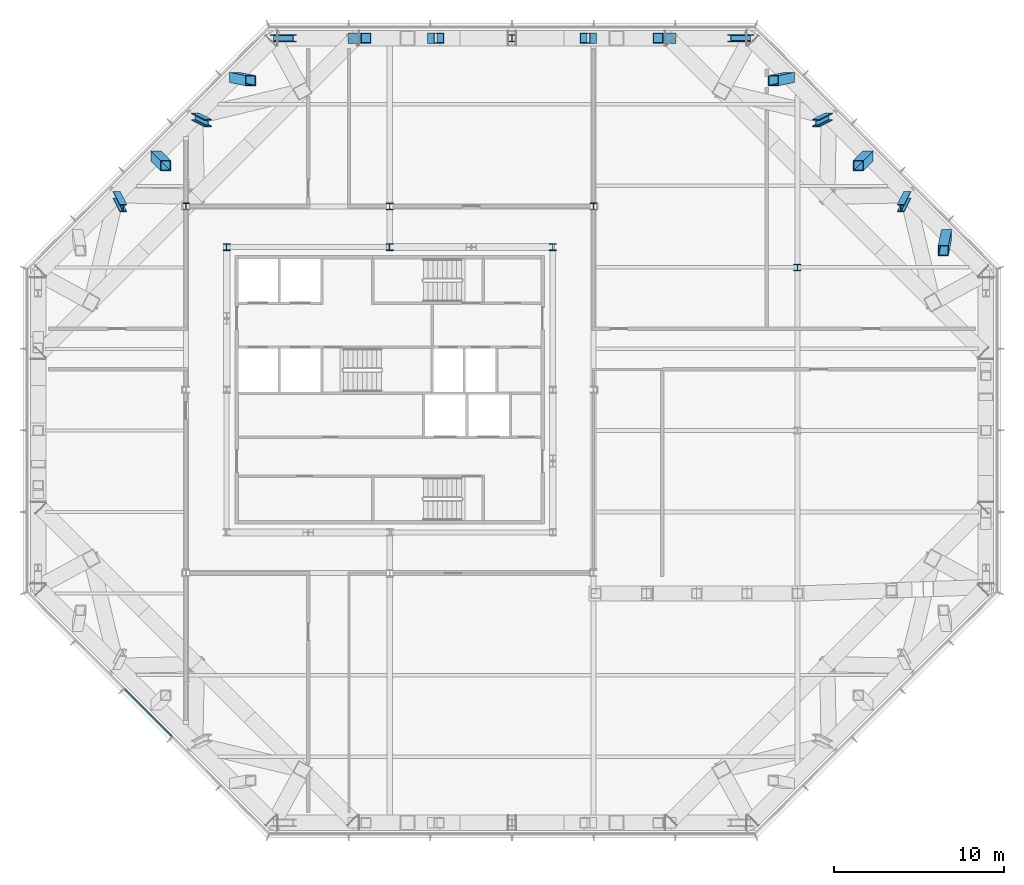
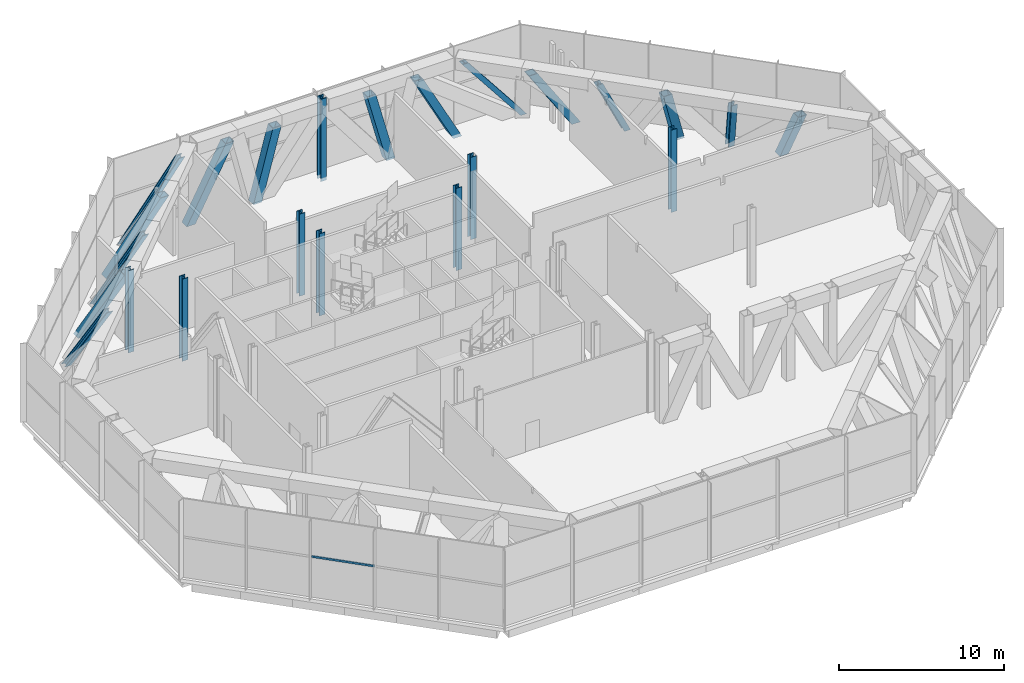
# One storey, part 2 of 18: 23 columns, 1 member, 1 element without a shape of its own.
"""IFC4 building model written with IfcOpenShell, lengths in metres."""

from ifc_helpers import new_model, si_unit, direction, frame, origin, origin_2d, place, context, subcontext, project, spatial, rectangle, hollow_rectangle, i_section, extrude, clip, halfspace, material, material_profile, profile_set, type_object, element, aggregate, save


model = new_model("IFC4")

# Units and contexts
model_context = context("Model", 3, precision=1e-05, world=origin(), true_north=direction((0.0, 1.0)))
body_context = subcontext(model_context, "Body", "Model", "MODEL_VIEW")
ifc_project = project(units=[si_unit("LENGTHUNIT", "METRE"), si_unit("AREAUNIT", "SQUARE_METRE"), si_unit("VOLUMEUNIT", "CUBIC_METRE"), si_unit("PLANEANGLEUNIT", "RADIAN"), si_unit("MASSUNIT", "GRAM", prefix="KILO")], contexts=[model_context])

# Site, building, storey
site_placement = place(None, origin())
site = spatial("IfcSite", under=ifc_project, at=site_placement, CompositionType="ELEMENT")
building_placement = place(site_placement, origin())
building = spatial("IfcBuilding", under=site, at=building_placement, Name="Cairn Pilgrim Tower", CompositionType="ELEMENT")
storey_placement = place(building_placement, frame((0.0, 0.0, 204.60009765625)))
storey = spatial("IfcBuildingStorey", under=building, at=storey_placement, Name="L52", CompositionType="ELEMENT", Elevation=204.60009765625)

# Columns
ifc_material_1 = material(Name="Structural steel S460M", Category="steel")
ifc_material_profile_1 = material_profile(ifc_material_1, hollow_rectangle(XDim=0.60009765625, YDim=0.60009765625, WallThickness=0.034912109375, at=origin_2d()), Name="BOX 600x600x35")
ifc_profile_set_1 = profile_set([ifc_material_profile_1], Name="Structural steel S460M")
column_type_1 = type_object("IfcColumnType", Name="BOX 600x600x35 POST", PredefinedType="USERDEFINED", material=ifc_profile_set_1)
column_1_placement = place(storey_placement, frame((39.98779296875, 11.539306640625, -0.25), z_axis=(0.0, 0.0, 1.0), x_axis=(1.0, 0.0, 0.0)))
element("IfcColumn", 1, at=column_1_placement, inside=storey, type_object=column_type_1, Name="BT52-NE-P2", ObjectType="POST", PredefinedType="USERDEFINED", context=body_context, shape_type="Clipping", body=[
    clip(extrude(hollow_rectangle(XDim=0.60009765625, YDim=0.60009765625, WallThickness=0.034912109375, at=origin_2d()), origin(), (-0.108993238723, -0.545099274493, 0.83125643147), 7.338134765625), halfspace(frame((0.0, 0.0, 5.199951171875), z_axis=(0.0, 0.0, 1.0), x_axis=(1.0, 0.0, 0.0)), False)),
])
column_2_placement = place(storey_placement, frame((35.363525390625, 16.16357421875, -0.25), z_axis=(0.0, 0.0, 1.0), x_axis=(1.0, 0.0, 0.0)))
element("IfcColumn", 2, at=column_2_placement, inside=storey, type_object=column_type_1, Name="BT52-NE-P4", ObjectType="POST", PredefinedType="USERDEFINED", context=body_context, shape_type="Clipping", body=[
    clip(extrude(hollow_rectangle(XDim=0.60009765625, YDim=0.60009765625, WallThickness=0.034912109375, at=origin_2d()), origin(), (-0.343801292888, -0.343801292888, 0.873842858881), 6.98046875), halfspace(frame((0.0, 0.0, 5.199951171875), z_axis=(0.0, 0.0, 1.0), x_axis=(1.0, 0.0, 0.0)), False)),
])
column_3_placement = place(storey_placement, frame((30.7392578125, 20.787841796875, -0.25), z_axis=(0.0, 0.0, 1.0), x_axis=(1.0, 0.0, 0.0)))
element("IfcColumn", 3, at=column_3_placement, inside=storey, type_object=column_type_1, Name="BT52-NE-P6", ObjectType="POST", PredefinedType="USERDEFINED", context=body_context, shape_type="Clipping", body=[
    clip(extrude(hollow_rectangle(XDim=0.60009765625, YDim=0.60009765625, WallThickness=0.034912109375, at=origin_2d()), origin(), (-0.545097297547, -0.109026113529, 0.8312534167), 7.338134765625), halfspace(frame((0.0, 0.0, 5.199951171875), z_axis=(0.0, 0.0, 1.0), x_axis=(1.0, 0.0, 0.0)), False)),
])
column_4_placement = place(storey_placement, frame((23.75146484375, 23.10009765625, -0.25), z_axis=(0.0, 0.0, 1.0), x_axis=(1.0, 0.0, 0.0)))
element("IfcColumn", 4, at=column_4_placement, inside=storey, type_object=column_type_1, Name="BT52-N-P2", ObjectType="POST", PredefinedType="USERDEFINED", context=body_context, shape_type="Clipping", body=[
    clip(extrude(hollow_rectangle(XDim=0.60009765625, YDim=0.60009765625, WallThickness=0.034912109375, at=origin_2d()), origin(), (-0.464552553613, 0.0, 0.885545552149), 6.88818359375), halfspace(frame((0.0, 0.0, 5.199951171875), z_axis=(0.0, 0.0, 1.0), x_axis=(1.0, 0.0, 0.0)), False)),
])
column_5_placement = place(storey_placement, frame((19.07568359375, 23.10009765625, -0.25), z_axis=(0.0, 0.0, 1.0), x_axis=(1.0, 0.0, 0.0)))
element("IfcColumn", 5, at=column_5_placement, inside=storey, type_object=column_type_1, Name="BT52-N-P3", ObjectType="POST", PredefinedType="USERDEFINED", context=body_context, shape_type="Clipping", body=[
    clip(extrude(hollow_rectangle(XDim=0.60009765625, YDim=0.60009765625, WallThickness=0.034912109375, at=origin_2d()), origin(), (-0.253732877712, 0.0, 0.9672743286), 6.30615234375), halfspace(frame((0.0, 0.0, 5.199951171875), z_axis=(0.0, 0.0, 1.0), x_axis=(1.0, 0.0, 0.0)), False)),
])
column_6_placement = place(storey_placement, frame((9.724365234375, 23.10009765625, -0.25), z_axis=(0.0, 0.0, 1.0), x_axis=(1.0, 0.0, 0.0)))
element("IfcColumn", 6, at=column_6_placement, inside=storey, type_object=column_type_1, Name="BT52-N-P5", ObjectType="POST", PredefinedType="USERDEFINED", context=body_context, shape_type="Clipping", body=[
    clip(extrude(hollow_rectangle(XDim=0.60009765625, YDim=0.60009765625, WallThickness=0.034912109375, at=origin_2d()), origin(), (0.253696655412, 0.0, 0.967283829614), 6.30615234375), halfspace(frame((0.0, 0.0, 5.199951171875), z_axis=(0.0, 0.0, 1.0), x_axis=(1.0, 0.0, 0.0)), False)),
])
column_7_placement = place(storey_placement, frame((5.048583984375, 23.10009765625, -0.25), z_axis=(0.0, 0.0, 1.0), x_axis=(1.0, 0.0, 0.0)))
element("IfcColumn", 7, at=column_7_placement, inside=storey, type_object=column_type_1, Name="BT52-N-P6", ObjectType="POST", PredefinedType="USERDEFINED", context=body_context, shape_type="Clipping", body=[
    clip(extrude(hollow_rectangle(XDim=0.60009765625, YDim=0.60009765625, WallThickness=0.034912109375, at=origin_2d()), origin(), (0.464552553613, 0.0, 0.885545552149), 6.88818359375), halfspace(frame((0.0, 0.0, 5.199951171875), z_axis=(0.0, 0.0, 1.0), x_axis=(1.0, 0.0, 0.0)), False)),
])
column_8_placement = place(storey_placement, frame((-1.939208984375, 20.787841796875, -0.25), z_axis=(0.0, 0.0, 1.0), x_axis=(1.0, 0.0, 0.0)))
element("IfcColumn", 8, at=column_8_placement, inside=storey, type_object=column_type_1, Name="BT52-NW-P2", ObjectType="POST", PredefinedType="USERDEFINED", context=body_context, shape_type="Clipping", body=[
    clip(extrude(hollow_rectangle(XDim=0.60009765625, YDim=0.60009765625, WallThickness=0.034912109375, at=origin_2d()), origin(), (0.545097297547, -0.109026113529, 0.8312534167), 7.338134765625), halfspace(frame((0.0, 0.0, 5.199951171875), z_axis=(0.0, 0.0, 1.0), x_axis=(1.0, 0.0, 0.0)), False)),
])
column_9_placement = place(storey_placement, frame((-6.563720703125, 16.16357421875, -0.25), z_axis=(0.0, 0.0, 1.0), x_axis=(1.0, 0.0, 0.0)))
element("IfcColumn", 9, at=column_9_placement, inside=storey, type_object=column_type_1, Name="BT52-NW-P4", ObjectType="POST", PredefinedType="USERDEFINED", context=body_context, shape_type="Clipping", body=[
    clip(extrude(hollow_rectangle(XDim=0.60009765625, YDim=0.60009765625, WallThickness=0.034912109375, at=origin_2d()), origin(), (0.343832133045, -0.343797158766, 0.873832351147), 6.98046875), halfspace(frame((0.0, 0.0, 5.199951171875), z_axis=(0.0, 0.0, 1.0), x_axis=(1.0, 0.0, 0.0)), False)),
])
ifc_material_2 = material(Name="Structural steel S355J2", Category="steel")
ifc_material_profile_2 = material_profile(ifc_material_2, i_section(OverallWidth=0.39892578125, OverallDepth=0.39306640625, WebThickness=0.022705078125, FlangeThickness=0.03662109375, FilletRadius=0.014892578125, at=origin_2d()), Name="HD 400x287")
ifc_profile_set_2 = profile_set([ifc_material_profile_2], Name="Structural steel S355J2")
column_type_2 = type_object("IfcColumnType", Name="HD 400x287", PredefinedType="COLUMN", material=ifc_profile_set_2)
for number, where, z_axis, x_axis, name in (
    (10, (-4.800048828125, 13.199951171875, -0.25), (0.0, 0.0, 1.0), (1.0, 0.0, 0.0), "IC-6"),
    (11, (7.199951171875, 13.199951171875, -0.25), (0.0, 0.0, 1.0), (1.0, 0.0, 0.0), "IC-7"),
    (12, (19.199951171875, 13.199951171875, -0.25), (0.0, 0.0, 1.0), (1.0, 0.0, 0.0), "IC-8"),
    (13, (31.199951171875, 9.60009765625, -0.25), (0.0, 0.0, 1.0), (1.0, 0.0, 0.0), "WC-WE+2"),
):
    element("IfcColumn", number, at=place(storey_placement, frame(where, z_axis=z_axis, x_axis=x_axis)), inside=storey, type_object=column_type_2, Name=name, PredefinedType="COLUMN", context=body_context, shape_type="SweptSolid", body=[
        extrude(i_section(OverallWidth=0.39892578125, OverallDepth=0.39306640625, WebThickness=0.022705078125, FlangeThickness=0.03662109375, FilletRadius=0.014892578125, at=origin_2d()), origin(), (0.0, 0.0, 1.0), 6.099853515625),
    ])
ifc_material_profile_3 = material_profile(ifc_material_1, i_section(OverallWidth=0.404052734375, OverallDepth=0.406982421875, WebThickness=0.027099609375, FlangeThickness=0.043701171875, FilletRadius=0.014892578125, at=origin_2d()), Name="HD 400x347")
ifc_profile_set_3 = profile_set([ifc_material_profile_3], Name="Structural steel S460M")
column_type_3 = type_object("IfcColumnType", Name="HD 400x347", PredefinedType="COLUMN", material=ifc_profile_set_3)
for number, where, z_axis, x_axis, name in (
    (14, (-2.39990234375, 10.800048828125, -0.25), (0.0, 0.0, 1.0), (1.0, 0.0, 0.0), "KC-6"),
    (15, (7.199951171875, 10.800048828125, -0.25), (0.0, 0.0, 1.0), (1.0, 0.0, 0.0), "KC-7"),
    (16, (16.800048828125, 10.800048828125, -0.25), (0.0, 0.0, 1.0), (1.0, 0.0, 0.0), "KC-8"),
):
    element("IfcColumn", number, at=place(storey_placement, frame(where, z_axis=z_axis, x_axis=x_axis)), inside=storey, type_object=column_type_3, Name=name, PredefinedType="COLUMN", context=body_context, shape_type="SweptSolid", body=[
        extrude(i_section(OverallWidth=0.404052734375, OverallDepth=0.406982421875, WebThickness=0.027099609375, FlangeThickness=0.043701171875, FilletRadius=0.014892578125, at=origin_2d()), origin(), (0.0, 0.0, 1.0), 6.099853515625),
    ])
ifc_material_profile_4 = material_profile(ifc_material_1, i_section(OverallWidth=0.416015625, OverallDepth=0.446044921875, WebThickness=0.0390625, FlangeThickness=0.062744140625, FilletRadius=0.014892578125, at=origin_2d()), Name="HD 400x509")
ifc_profile_set_4 = profile_set([ifc_material_profile_4], Name="Structural steel S460M")
column_type_4 = type_object("IfcColumnType", Name="HD 400x509 POST", PredefinedType="USERDEFINED", material=ifc_profile_set_4)
column_10_placement = place(storey_placement, frame((37.67578125, 13.8515625, -0.25), z_axis=(0.0, 0.0, 1.0), x_axis=(1.0, 0.0, 0.0)))
element("IfcColumn", 17, at=column_10_placement, inside=storey, type_object=column_type_4, Name="BT52-NE-P3", ObjectType="POST", PredefinedType="USERDEFINED", context=body_context, shape_type="Clipping", body=[
    clip(extrude(i_section(OverallWidth=0.416015625, OverallDepth=0.446044921875, WebThickness=0.0390625, FlangeThickness=0.062744140625, FilletRadius=0.014892578125, at=origin_2d()), origin(), (-0.226269398088, -0.452504272314, 0.862578717003), 7.071533203125), halfspace(frame((0.0, 0.0, 5.199951171875), z_axis=(0.0, 0.0, 1.0), x_axis=(1.0, 0.0, 0.0)), False)),
])
column_11_placement = place(storey_placement, frame((33.051513671875, 18.4755859375, -0.25), z_axis=(0.0, 0.0, 1.0), x_axis=(1.0, 0.0, 0.0)))
element("IfcColumn", 18, at=column_11_placement, inside=storey, type_object=column_type_4, Name="BT52-NE-P5", ObjectType="POST", PredefinedType="USERDEFINED", context=body_context, shape_type="Clipping", body=[
    clip(extrude(i_section(OverallWidth=0.416015625, OverallDepth=0.446044921875, WebThickness=0.0390625, FlangeThickness=0.062744140625, FilletRadius=0.014892578125, at=origin_2d()), origin(), (-0.45250780691, -0.226236641389, 0.862585454769), 7.071533203125), halfspace(frame((0.0, 0.0, 5.199951171875), z_axis=(0.0, 0.0, 1.0), x_axis=(1.0, 0.0, 0.0)), False)),
])
column_12_placement = place(storey_placement, frame((28.42724609375, 23.10009765625, -0.25), z_axis=(0.0, 0.0, 1.0), x_axis=(1.0, 0.0, 0.0)))
element("IfcColumn", 19, at=column_12_placement, inside=storey, type_object=column_type_4, Name="BT52-N-P1", ObjectType="POST", PredefinedType="USERDEFINED", context=body_context, shape_type="Clipping", body=[
    clip(extrude(i_section(OverallWidth=0.416015625, OverallDepth=0.446044921875, WebThickness=0.0390625, FlangeThickness=0.062744140625, FilletRadius=0.014892578125, at=origin_2d()), origin(), (-0.618403417644, 0.0, 0.785860810225), 7.761962890625), halfspace(frame((0.0, 0.0, 5.199951171875), z_axis=(0.0, 0.0, 1.0), x_axis=(1.0, 0.0, 0.0)), False)),
])
column_13_placement = place(storey_placement, frame((14.39990234375, 23.10009765625, -0.25), z_axis=(0.0, 0.0, 1.0), x_axis=(1.0, 0.0, 0.0)))
element("IfcColumn", 20, at=column_13_placement, inside=storey, type_object=column_type_4, Name="BT52-N-P4", ObjectType="POST", PredefinedType="USERDEFINED", context=body_context, shape_type="SweptSolid", body=[
    extrude(i_section(OverallWidth=0.416015625, OverallDepth=0.446044921875, WebThickness=0.0390625, FlangeThickness=0.062744140625, FilletRadius=0.014892578125, at=origin_2d()), origin(), (0.0, 0.0, 1.0), 6.099853515625),
])
column_14_placement = place(storey_placement, frame((0.372802734375, 23.10009765625, -0.25), z_axis=(0.0, 0.0, 1.0), x_axis=(1.0, 0.0, 0.0)))
element("IfcColumn", 21, at=column_14_placement, inside=storey, type_object=column_type_4, Name="BT52-NW-P1", ObjectType="POST", PredefinedType="USERDEFINED", context=body_context, shape_type="Clipping", body=[
    clip(extrude(i_section(OverallWidth=0.416015625, OverallDepth=0.446044921875, WebThickness=0.0390625, FlangeThickness=0.062744140625, FilletRadius=0.014892578125, at=origin_2d()), origin(), (0.618403417644, 0.0, 0.785860810225), 7.761962890625), halfspace(frame((0.0, 0.0, 5.199951171875), z_axis=(0.0, 0.0, 1.0), x_axis=(1.0, 0.0, 0.0)), False)),
])
column_15_placement = place(storey_placement, frame((-4.25146484375, 18.4755859375, -0.25), z_axis=(0.0, 0.0, 1.0), x_axis=(1.0, 0.0, 0.0)))
element("IfcColumn", 22, at=column_15_placement, inside=storey, type_object=column_type_4, Name="BT52-NW-P3", ObjectType="POST", PredefinedType="USERDEFINED", context=body_context, shape_type="Clipping", body=[
    clip(extrude(i_section(OverallWidth=0.416015625, OverallDepth=0.446044921875, WebThickness=0.0390625, FlangeThickness=0.062744140625, FilletRadius=0.014892578125, at=origin_2d()), origin(), (0.45250780691, -0.226236641389, 0.862585454769), 7.071533203125), halfspace(frame((0.0, 0.0, 5.199951171875), z_axis=(0.0, 0.0, 1.0), x_axis=(1.0, 0.0, 0.0)), False)),
])
column_16_placement = place(storey_placement, frame((-8.875732421875, 13.8515625, -0.25), z_axis=(0.0, 0.0, 1.0), x_axis=(1.0, 0.0, 0.0)))
element("IfcColumn", 23, at=column_16_placement, inside=storey, type_object=column_type_4, Name="BT52-NW-P5", ObjectType="POST", PredefinedType="USERDEFINED", context=body_context, shape_type="Clipping", body=[
    clip(extrude(i_section(OverallWidth=0.416015625, OverallDepth=0.446044921875, WebThickness=0.0390625, FlangeThickness=0.062744140625, FilletRadius=0.014892578125, at=origin_2d()), origin(), (0.226269398088, -0.452504272314, 0.862578717003), 7.071533203125), halfspace(frame((0.0, 0.0, 5.199951171875), z_axis=(0.0, 0.0, 1.0), x_axis=(1.0, 0.0, 0.0)), False)),
])

# Curtain wall, member
ifc_material_3 = material(Name="Aluminium alloy 6063-T6 bronze anodised with Bronze tinted laminated low-E glass 8+16+8.8", Category="aluminium")
curtain_wall_type = type_object("IfcCurtainWallType", Name="PLANT LOUVRE CURTAIN WALL", PredefinedType="NOTDEFINED", material=ifc_material_3)
curtain_wall_placement = place(storey_placement, origin())
curtain_wall = element("IfcCurtainWall", 24, at=curtain_wall_placement, inside=storey, type_object=curtain_wall_type, Name="Plant Louvre Curtain Wall SW", PredefinedType="NOTDEFINED")
ifc_material_4 = material(Name="Aluminium alloy 6063-T6 bronze anodised", Category="aluminium")
ifc_material_profile_5 = material_profile(ifc_material_4, rectangle(XDim=0.080078125, YDim=0.14990234375, at=origin_2d()), Name="TRANSOM 80x150 BRONZE")
ifc_profile_set_5 = profile_set([ifc_material_profile_5], Name="Aluminium alloy 6063-T6 bronze anodised")
member_type = type_object("IfcMemberType", Name="TRANSOM 80x150 BRONZE", PredefinedType="USERDEFINED", material=ifc_profile_set_5)
member_placement = place(storey_placement, frame((-8.42724609375, -15.218994140625, 3.0), z_axis=(0.707076043427, -0.70713751761, 0.0), x_axis=(0.70713751761, 0.707076043427, 0.0)))
member = element("IfcMember", 25, at=member_placement, type_object=member_type, Name="Transom SW3", ObjectType="TRANSOM", PredefinedType="USERDEFINED", context=body_context, shape_type="SweptSolid", body=[
    extrude(rectangle(XDim=0.080078125, YDim=0.14990234375, at=origin_2d()), origin(), (0.0, 0.0, 1.0), 3.971435546875),
])
aggregate(curtain_wall, [member])

save(model, "model.ifc")
